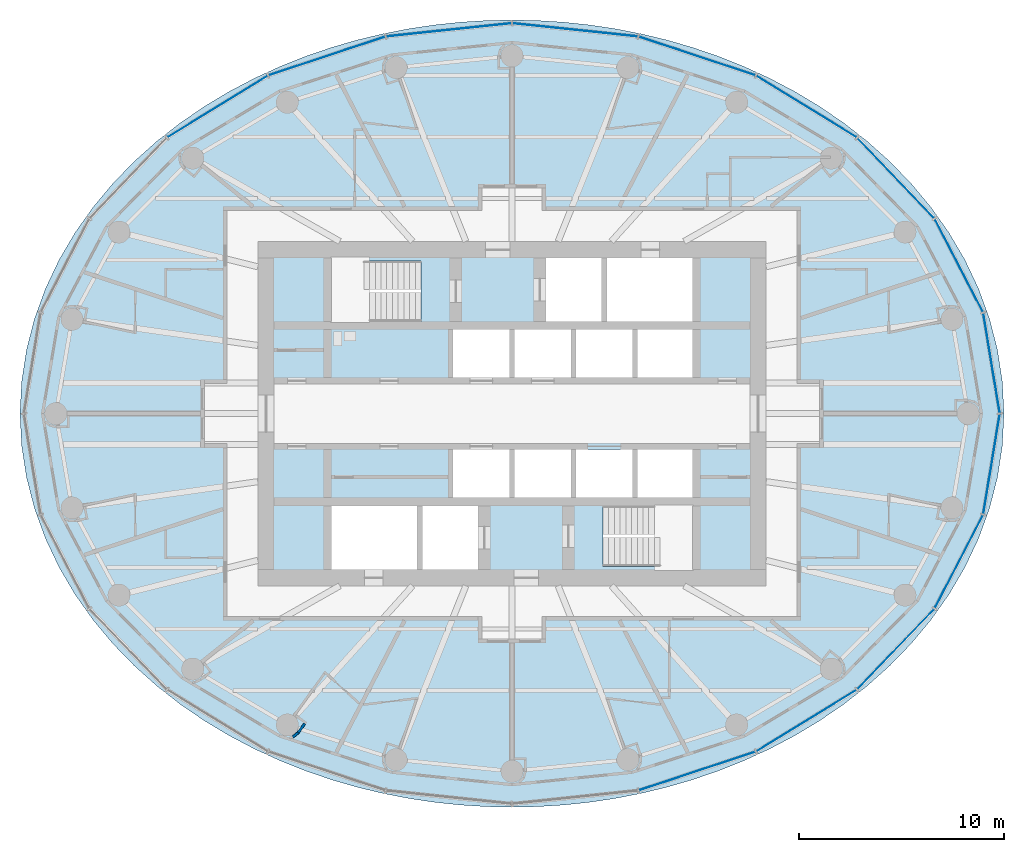
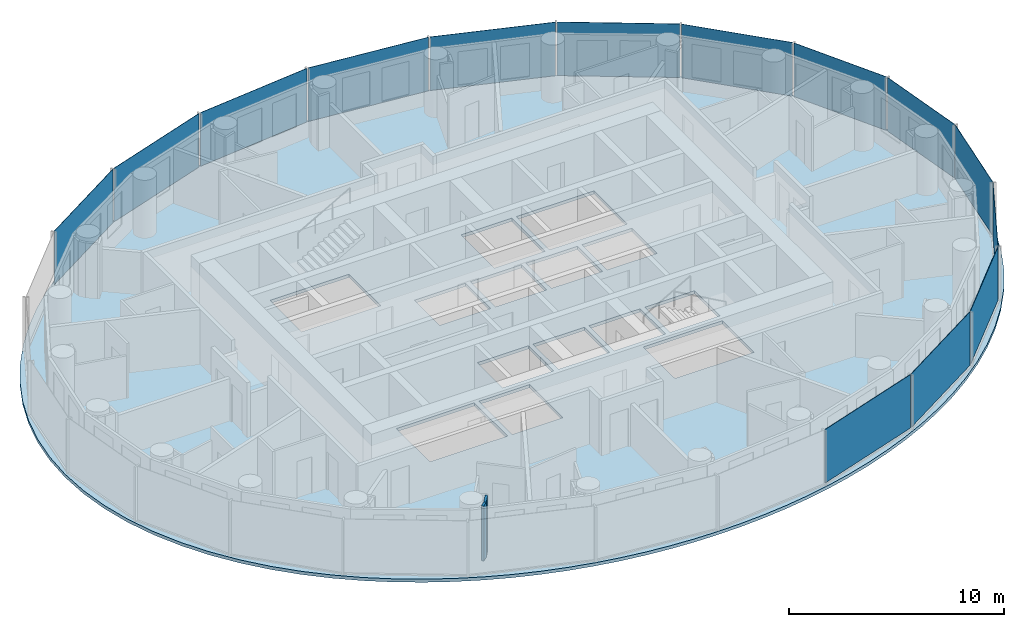
# One storey, part 5 of 16: 14 plates, 2 walls, 1 slab, 3 elements without a shape of their own.
"""IFC4 building model written with IfcOpenShell, lengths in metres."""

from ifc_helpers import new_model, si_unit, direction, frame, frame_2d, origin, origin_2d, place, context, subcontext, project, spatial, polyline, rectangle, outline, extrude, material, layer, layer_set, type_object, element, aggregate, save


model = new_model("IFC4")

# Units and contexts
model_context = context("Model", 3, precision=1e-05, world=origin(), true_north=direction((0.0, 1.0)))
body_context = subcontext(model_context, "Body", "Model", "MODEL_VIEW")
ifc_project = project(units=[si_unit("LENGTHUNIT", "METRE"), si_unit("AREAUNIT", "SQUARE_METRE"), si_unit("VOLUMEUNIT", "CUBIC_METRE"), si_unit("PLANEANGLEUNIT", "RADIAN"), si_unit("MASSUNIT", "GRAM", prefix="KILO")], contexts=[model_context])

# Site, building, storey
site_placement = place(None, origin())
site = spatial("IfcSite", under=ifc_project, at=site_placement, CompositionType="ELEMENT")
building_placement = place(site_placement, origin())
building = spatial("IfcBuilding", under=site, at=building_placement, Name="Hankou Lantern Tower", CompositionType="ELEMENT")
storey_placement = place(building_placement, frame((0.0, 0.0, 153.300048828125)))
storey = spatial("IfcBuildingStorey", under=building, at=storey_placement, Name="L40", CompositionType="ELEMENT", Elevation=153.300048828125)

# Curtain wall, plates
ifc_material_1 = material(Name="Glass, dark grey tinted laminated", Category="glass")
curtain_wall_type = type_object("IfcCurtainWallType", Name="CWC OUTER SKIN HIGH-RISE", PredefinedType="USERDEFINED", material=ifc_material_1)
curtain_wall_1_placement = place(storey_placement, origin())
curtain_wall_1 = element("IfcCurtainWall", 1, at=curtain_wall_1_placement, inside=storey, type_object=curtain_wall_type, Name="CWC L40 OS1", ObjectType="OUTER SKIN HIGH-RISE", PredefinedType="USERDEFINED")
ifc_material_2 = material(Name="Glass, dark grey tinted laminated", Category="glass")
ifc_layer_1 = layer(ifc_material_2, 0.02392578125)
ifc_layer_set_1 = layer_set([ifc_layer_1], Name="Glass, dark grey tinted laminated")
plate_type = type_object("IfcPlateType", Name="PN1 OUTER SKIN GLASS PANEL", PredefinedType="CURTAIN_PANEL", material=ifc_layer_set_1)
plate_1_placement = place(storey_placement, frame((23.39453125, 2.4638671875, 0.079833984375), z_axis=(0.0, 0.0, 1.0), x_axis=(-0.162381515188, 0.986728049427, 0.0)))
plate_1 = element("IfcPlate", 2, at=plate_1_placement, type_object=plate_type, Name="CWC glass panel 1", PredefinedType="CURTAIN_PANEL", context=body_context, shape_type="SweptSolid", body=[
    extrude(rectangle(XDim=4.914306640625, YDim=0.02392578125, at=origin_2d()), origin(), (0.0, 0.0, 1.0), 3.0400390625),
])
plate_2_placement = place(storey_placement, frame((21.80029296875, 7.223876953125, 0.079833984375), z_axis=(0.0, 0.0, 1.0), x_axis=(-0.459791091957, 0.888027112062, 0.0)))
plate_2 = element("IfcPlate", 3, at=plate_2_placement, type_object=plate_type, Name="CWC glass panel 2", PredefinedType="CURTAIN_PANEL", context=body_context, shape_type="SweptSolid", body=[
    extrude(rectangle(XDim=5.091064453125, YDim=0.02392578125, at=origin_2d()), origin(), (0.0, 0.0, 1.0), 3.0400390625),
])
plate_3_placement = place(storey_placement, frame((18.72021484375, 11.49169921875, 0.079833984375), z_axis=(0.0, 0.0, 1.0), x_axis=(-0.692215809936, 0.721690565599, 0.0)))
plate_3 = element("IfcPlate", 4, at=plate_3_placement, type_object=plate_type, Name="CWC glass panel 3", PredefinedType="CURTAIN_PANEL", context=body_context, shape_type="SweptSolid", body=[
    extrude(rectangle(XDim=5.384033203125, YDim=0.02392578125, at=origin_2d()), origin(), (0.0, 0.0, 1.0), 3.0400390625),
])
plate_4_placement = place(storey_placement, frame((14.364501953125, 14.976318359375, 0.079833984375), z_axis=(0.0, 0.0, 1.0), x_axis=(-0.852237151549, 0.523155653242, 0.0)))
plate_4 = element("IfcPlate", 5, at=plate_4_placement, type_object=plate_type, Name="CWC glass panel 4", PredefinedType="CURTAIN_PANEL", context=body_context, shape_type="SweptSolid", body=[
    extrude(rectangle(XDim=5.703857421875, YDim=0.02392578125, at=origin_2d()), origin(), (0.0, 0.0, 1.0), 3.0400390625),
])
plate_5_placement = place(storey_placement, frame((9.030029296875, 17.440185546875, 0.079833984375), z_axis=(0.0, 0.0, 1.0), x_axis=(-0.949240677293, 0.31455068999, 0.0)))
plate_5 = element("IfcPlate", 6, at=plate_5_placement, type_object=plate_type, Name="CWC glass panel 5", PredefinedType="CURTAIN_PANEL", context=body_context, shape_type="SweptSolid", body=[
    extrude(rectangle(XDim=5.967041015625, YDim=0.02392578125, at=origin_2d()), origin(), (0.0, 0.0, 1.0), 3.0400390625),
])
plate_6_placement = place(storey_placement, frame((3.079833984375, 18.715576171875, 0.079833984375), z_axis=(0.0, 0.0, 1.0), x_axis=(-0.994499359107, 0.104742659579, 0.0)))
plate_6 = element("IfcPlate", 7, at=plate_6_placement, type_object=plate_type, Name="CWC glass panel 6", PredefinedType="CURTAIN_PANEL", context=body_context, shape_type="SweptSolid", body=[
    extrude(rectangle(XDim=6.114013671875, YDim=0.02392578125, at=origin_2d()), origin(), (0.0, 0.0, 1.0), 3.0400390625),
])
aggregate(curtain_wall_1, [plate_1, plate_2, plate_3, plate_4, plate_5, plate_6])

curtain_wall_2_placement = place(storey_placement, origin())
curtain_wall_2 = element("IfcCurtainWall", 8, at=curtain_wall_2_placement, inside=storey, type_object=curtain_wall_type, Name="CWC L40 OS2", ObjectType="OUTER SKIN HIGH-RISE", PredefinedType="USERDEFINED")
plate_7_placement = place(storey_placement, frame((-3.079833984375, 18.715576171875, 0.079833984375), z_axis=(0.0, 0.0, 1.0), x_axis=(-0.994499359107, -0.104742659579, 0.0)))
plate_7 = element("IfcPlate", 9, at=plate_7_placement, type_object=plate_type, Name="CWC glass panel 1", PredefinedType="CURTAIN_PANEL", context=body_context, shape_type="SweptSolid", body=[
    extrude(rectangle(XDim=6.114013671875, YDim=0.02392578125, at=origin_2d()), origin(), (0.0, 0.0, 1.0), 3.0400390625),
])
plate_8_placement = place(storey_placement, frame((-9.030029296875, 17.440185546875, 0.079833984375), z_axis=(0.0, 0.0, 1.0), x_axis=(-0.949240677293, -0.31455068999, 0.0)))
plate_8 = element("IfcPlate", 10, at=plate_8_placement, type_object=plate_type, Name="CWC glass panel 2", PredefinedType="CURTAIN_PANEL", context=body_context, shape_type="SweptSolid", body=[
    extrude(rectangle(XDim=5.967041015625, YDim=0.02392578125, at=origin_2d()), origin(), (0.0, 0.0, 1.0), 3.0400390625),
])
plate_9_placement = place(storey_placement, frame((-14.364501953125, 14.976318359375, 0.079833984375), z_axis=(0.0, 0.0, 1.0), x_axis=(-0.852237151549, -0.523155653242, 0.0)))
plate_9 = element("IfcPlate", 11, at=plate_9_placement, type_object=plate_type, Name="CWC glass panel 3", PredefinedType="CURTAIN_PANEL", context=body_context, shape_type="SweptSolid", body=[
    extrude(rectangle(XDim=5.703857421875, YDim=0.02392578125, at=origin_2d()), origin(), (0.0, 0.0, 1.0), 3.0400390625),
])
aggregate(curtain_wall_2, [plate_7, plate_8, plate_9])

curtain_wall_3_placement = place(storey_placement, origin())
curtain_wall_3 = element("IfcCurtainWall", 12, at=curtain_wall_3_placement, inside=storey, type_object=curtain_wall_type, Name="CWC L40 OS4", ObjectType="OUTER SKIN HIGH-RISE", PredefinedType="USERDEFINED")
plate_10_placement = place(storey_placement, frame((9.030029296875, -17.440185546875, 0.079833984375), z_axis=(0.0, 0.0, 1.0), x_axis=(0.949240677293, 0.31455068999, 0.0)))
plate_10 = element("IfcPlate", 13, at=plate_10_placement, type_object=plate_type, Name="CWC glass panel 2", PredefinedType="CURTAIN_PANEL", context=body_context, shape_type="SweptSolid", body=[
    extrude(rectangle(XDim=5.967041015625, YDim=0.02392578125, at=origin_2d()), origin(), (0.0, 0.0, 1.0), 3.0400390625),
])
plate_11_placement = place(storey_placement, frame((14.364501953125, -14.976318359375, 0.079833984375), z_axis=(0.0, 0.0, 1.0), x_axis=(0.852237151549, 0.523155653242, 0.0)))
plate_11 = element("IfcPlate", 14, at=plate_11_placement, type_object=plate_type, Name="CWC glass panel 3", PredefinedType="CURTAIN_PANEL", context=body_context, shape_type="SweptSolid", body=[
    extrude(rectangle(XDim=5.703857421875, YDim=0.02392578125, at=origin_2d()), origin(), (0.0, 0.0, 1.0), 3.0400390625),
])
plate_12_placement = place(storey_placement, frame((18.72021484375, -11.49169921875, 0.079833984375), z_axis=(0.0, 0.0, 1.0), x_axis=(0.692215809936, 0.721690565599, 0.0)))
plate_12 = element("IfcPlate", 15, at=plate_12_placement, type_object=plate_type, Name="CWC glass panel 4", PredefinedType="CURTAIN_PANEL", context=body_context, shape_type="SweptSolid", body=[
    extrude(rectangle(XDim=5.384033203125, YDim=0.02392578125, at=origin_2d()), origin(), (0.0, 0.0, 1.0), 3.0400390625),
])
plate_13_placement = place(storey_placement, frame((21.80029296875, -7.223876953125, 0.079833984375), z_axis=(0.0, 0.0, 1.0), x_axis=(0.459791091957, 0.888027112062, 0.0)))
plate_13 = element("IfcPlate", 16, at=plate_13_placement, type_object=plate_type, Name="CWC glass panel 5", PredefinedType="CURTAIN_PANEL", context=body_context, shape_type="SweptSolid", body=[
    extrude(rectangle(XDim=5.091064453125, YDim=0.02392578125, at=origin_2d()), origin(), (0.0, 0.0, 1.0), 3.0400390625),
])
plate_14_placement = place(storey_placement, frame((23.39453125, -2.4638671875, 0.079833984375), z_axis=(0.0, 0.0, 1.0), x_axis=(0.162381515188, 0.986728049427, 0.0)))
plate_14 = element("IfcPlate", 17, at=plate_14_placement, type_object=plate_type, Name="CWC glass panel 6", PredefinedType="CURTAIN_PANEL", context=body_context, shape_type="SweptSolid", body=[
    extrude(rectangle(XDim=4.914306640625, YDim=0.02392578125, at=origin_2d()), origin(), (0.0, 0.0, 1.0), 3.0400390625),
])
aggregate(curtain_wall_3, [plate_10, plate_11, plate_12, plate_13, plate_14])

# Slab
ifc_material_3 = material(Name="Concrete C50", Category="concrete")
ifc_layer_2 = layer(ifc_material_3, 0.179931640625)
ifc_layer_set_2 = layer_set([ifc_layer_2], Name="Concrete C50")
slab_type = type_object("IfcSlabType", Name="S1 CONCRETE FLOOR SLAB 180", PredefinedType="FLOOR", material=ifc_layer_set_2)
slab_placement = place(storey_placement, frame((0.0, 0.0, -0.179931640625)))
element("IfcSlab", 18, at=slab_placement, inside=storey, type_object=slab_type, Name="Floor slab L40", PredefinedType="FLOOR", context=body_context, shape_type="SweptSolid", body=[
    extrude(outline(polyline([(24.0, 0.0), (23.919921875, 1.56787109375), (23.681396484375, 3.11767578125), (23.290771484375, 4.6328125), (22.75732421875, 6.097900390625), (22.09326171875, 7.499755859375), (21.312744140625, 8.827880859375), (20.43017578125, 10.0751953125), (19.461181640625, 11.23583984375), (18.420166015625, 12.307861328125), (17.320556640625, 13.29052734375), (16.174560546875, 14.184814453125), (14.99267578125, 14.99267578125), (13.783935546875, 15.717529296875), (12.5556640625, 16.363037109375), (11.31396484375, 16.9326171875), (10.0634765625, 17.4306640625), (8.8076171875, 17.8603515625), (7.54931640625, 18.225341796875), (6.289794921875, 18.52880859375), (5.0302734375, 18.7734375), (3.771728515625, 18.96142578125), (2.513916015625, 19.094482421875), (1.256591796875, 19.173583984375), (0.0, 19.199951171875), (-1.256591796875, 19.173583984375), (-2.513916015625, 19.094482421875), (-3.771728515625, 18.96142578125), (-5.0302734375, 18.7734375), (-6.289794921875, 18.52880859375), (-7.54931640625, 18.225341796875), (-8.8076171875, 17.8603515625), (-10.0634765625, 17.4306640625), (-11.31396484375, 16.9326171875), (-12.5556640625, 16.363037109375), (-13.783935546875, 15.717529296875), (-14.99267578125, 14.99267578125), (-16.174560546875, 14.184814453125), (-17.320556640625, 13.29052734375), (-18.420166015625, 12.307861328125), (-19.461181640625, 11.23583984375), (-20.43017578125, 10.0751953125), (-21.312744140625, 8.827880859375), (-22.09326171875, 7.499755859375), (-22.75732421875, 6.097900390625), (-23.290771484375, 4.6328125), (-23.681396484375, 3.11767578125), (-23.919921875, 1.56787109375), (-24.0, 0.0), (-23.919921875, -1.56787109375), (-23.681396484375, -3.11767578125), (-23.290771484375, -4.6328125), (-22.75732421875, -6.097900390625), (-22.09326171875, -7.499755859375), (-21.312744140625, -8.827880859375), (-20.43017578125, -10.0751953125), (-19.461181640625, -11.23583984375), (-18.420166015625, -12.307861328125), (-17.320556640625, -13.29052734375), (-16.174560546875, -14.184814453125), (-14.99267578125, -14.99267578125), (-13.783935546875, -15.717529296875), (-12.5556640625, -16.363037109375), (-11.31396484375, -16.9326171875), (-10.0634765625, -17.4306640625), (-8.8076171875, -17.8603515625), (-7.54931640625, -18.225341796875), (-6.289794921875, -18.52880859375), (-5.0302734375, -18.7734375), (-3.771728515625, -18.96142578125), (-2.513916015625, -19.094482421875), (-1.256591796875, -19.173583984375), (0.0, -19.199951171875), (1.256591796875, -19.173583984375), (2.513916015625, -19.094482421875), (3.771728515625, -18.96142578125), (5.0302734375, -18.7734375), (6.289794921875, -18.52880859375), (7.54931640625, -18.225341796875), (8.8076171875, -17.8603515625), (10.0634765625, -17.4306640625), (11.31396484375, -16.9326171875), (12.5556640625, -16.363037109375), (13.783935546875, -15.717529296875), (14.99267578125, -14.99267578125), (16.174560546875, -14.184814453125), (17.320556640625, -13.29052734375), (18.420166015625, -12.307861328125), (19.461181640625, -11.23583984375), (20.43017578125, -10.0751953125), (21.312744140625, -8.827880859375), (22.09326171875, -7.499755859375), (22.75732421875, -6.097900390625), (23.290771484375, -4.6328125), (23.681396484375, -3.11767578125), (23.919921875, -1.56787109375), (24.0, 0.0)]), holes=[polyline([(-2.875, 4.10009765625), (-0.125, 4.10009765625), (-0.125, 1.75), (-2.875, 1.75), (-2.875, 4.10009765625)]), polyline([(0.125, 4.10009765625), (2.875, 4.10009765625), (2.875, 1.75), (0.125, 1.75), (0.125, 4.10009765625)]), polyline([(3.125, 4.10009765625), (5.875, 4.10009765625), (5.875, 1.75), (3.125, 1.75), (3.125, 4.10009765625)]), polyline([(6.125, 4.10009765625), (8.800048828125, 4.10009765625), (8.800048828125, 1.75), (6.125, 1.75), (6.125, 4.10009765625)]), polyline([(-2.875, -1.75), (-0.125, -1.75), (-0.125, -4.10009765625), (-2.875, -4.10009765625), (-2.875, -1.75)]), polyline([(0.125, -1.75), (2.875, -1.75), (2.875, -4.10009765625), (0.125, -4.10009765625), (0.125, -1.75)]), polyline([(3.125, -1.75), (5.875, -1.75), (5.875, -4.10009765625), (3.125, -4.10009765625), (3.125, -1.75)]), polyline([(6.125, -1.75), (8.800048828125, -1.75), (8.800048828125, -4.10009765625), (6.125, -4.10009765625), (6.125, -1.75)]), polyline([(1.64990234375, 7.60009765625), (4.375, 7.60009765625), (4.375, 4.5), (1.64990234375, 4.5), (1.64990234375, 7.60009765625)]), polyline([(-4.375, -4.5), (-1.64990234375, -4.5), (-1.64990234375, -7.60009765625), (-4.375, -7.60009765625), (-4.375, -4.5)]), polyline([(-8.699951171875, 7.449951171875), (-4.449951171875, 7.449951171875), (-4.449951171875, 4.5), (-8.699951171875, 4.5), (-8.699951171875, 7.449951171875)]), polyline([(4.449951171875, -4.5), (8.699951171875, -4.5), (8.699951171875, -7.449951171875), (4.449951171875, -7.449951171875), (4.449951171875, -4.5)]), polyline([(4.625, 7.60009765625), (8.800048828125, 7.60009765625), (8.800048828125, 4.5), (4.625, 4.5), (4.625, 7.60009765625)]), polyline([(-8.800048828125, -4.5), (-4.625, -4.5), (-4.625, -7.60009765625), (-8.800048828125, -7.60009765625), (-8.800048828125, -4.5)])]), origin(), (0.0, 0.0, 1.0), 0.179931640625),
])

# Walls
ifc_material_4 = material(Name="Masonry lightweight concrete block", Category="masonry")
ifc_layer_3 = layer(ifc_material_4, 0.1201171875)
ifc_layer_set_3 = layer_set([ifc_layer_3], Name="Masonry lightweight concrete block")
wall_type = type_object("IfcWallType", Name="IW3 BATHROOM WALL 120", PredefinedType="PARTITIONING", material=ifc_layer_set_3)
wall_1_placement = place(storey_placement, frame((-10.10888671875, -15.121826171875, 0.0), z_axis=(0.0, 0.0, 1.0), x_axis=(-0.585344718358, -0.810784534072, 0.0)))
element("IfcWall", 19, at=wall_1_placement, inside=storey, type_object=wall_type, Name="Column casing 4010", PredefinedType="PARTITIONING", context=body_context, shape_type="SweptSolid", body=[
    extrude(rectangle(XDim=0.550048828125, YDim=0.1201171875, at=frame_2d((0.27490234375, 0.0))), origin(), (0.0, 0.0, 1.0), 3.119873046875),
])
wall_2_placement = place(storey_placement, frame((-10.430908203125, -15.56787109375, 0.0), z_axis=(0.0, 0.0, 1.0), x_axis=(-0.77505137267, -0.631898227345, 0.0)))
element("IfcWall", 20, at=wall_2_placement, inside=storey, type_object=wall_type, Name="Column casing 4010", PredefinedType="PARTITIONING", context=body_context, shape_type="SweptSolid", body=[
    extrude(rectangle(XDim=0.337646484375, YDim=0.1201171875, at=frame_2d((0.1689453125, 0.0))), origin(), (0.0, 0.0, 1.0), 3.119873046875),
])

save(model, "model.ifc")
